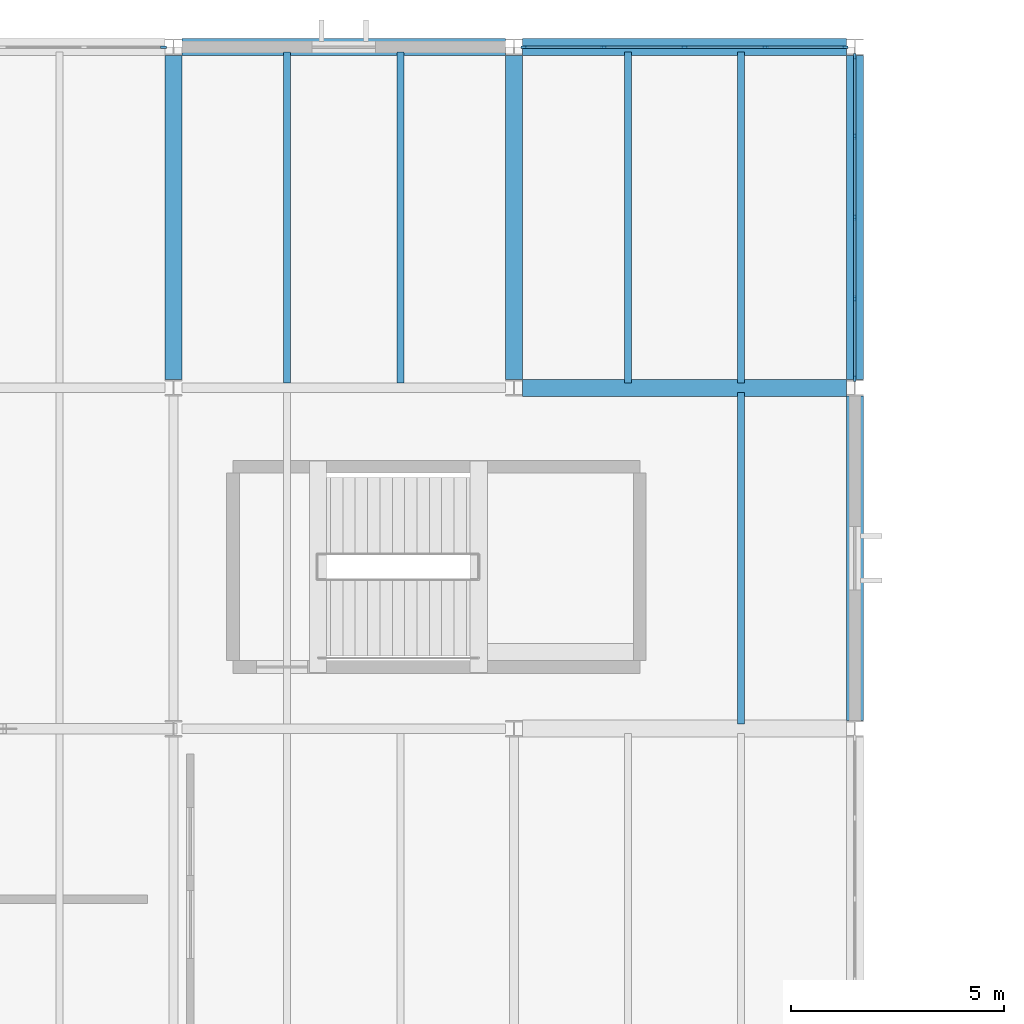
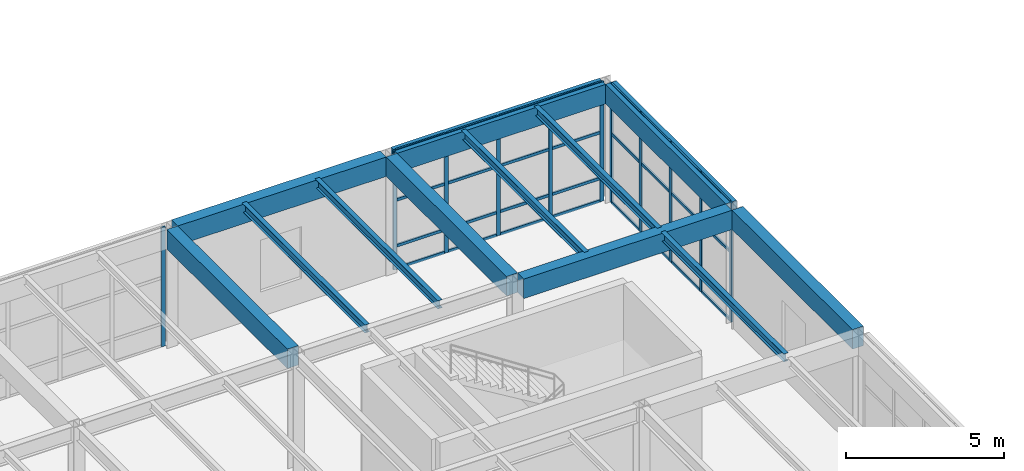
# One storey, part 24 of 60: 43 members, 12 beams, 3 elements without a shape of their own.
"""IFC4 building model written with IfcOpenShell, lengths in metres."""

from ifc_helpers import new_model, si_unit, direction, frame, origin, origin_2d, place, context, subcontext, project, spatial, rectangle, i_section, extrude, material, layer, layer_set, material_profile, profile_set, type_object, element, aggregate, save


model = new_model("IFC4")

# Units and contexts
model_context = context("Model", 3, precision=1e-05, world=origin(), true_north=direction((0.0, 1.0)))
body_context = subcontext(model_context, "Body", "Model", "MODEL_VIEW")
ifc_project = project(units=[si_unit("LENGTHUNIT", "METRE"), si_unit("AREAUNIT", "SQUARE_METRE"), si_unit("VOLUMEUNIT", "CUBIC_METRE"), si_unit("PLANEANGLEUNIT", "RADIAN"), si_unit("MASSUNIT", "GRAM", prefix="KILO")], contexts=[model_context])

# Site, building, storey
site_placement = place(None, origin())
site = spatial("IfcSite", under=ifc_project, at=site_placement, CompositionType="ELEMENT")
building_placement = place(site_placement, origin())
building = spatial("IfcBuilding", under=site, at=building_placement, Name="Varnela Railside Interchange", CompositionType="ELEMENT")
storey_placement = place(building_placement, frame((0.0, 0.0, 6.300048828125)))
storey = spatial("IfcBuildingStorey", under=building, at=storey_placement, Name="L01", CompositionType="ELEMENT", Elevation=6.300048828125)

# Beams
ifc_material_1 = material(Name="Steel AR 350 (350 MPa)", Category="steel")
ifc_material_profile_1 = material_profile(ifc_material_1, i_section(OverallWidth=0.1650390625, OverallDepth=0.31005859375, WebThickness=0.005859375, FlangeThickness=0.009765625, at=origin_2d()), Name="W310x38.7")
ifc_profile_set_1 = profile_set([ifc_material_profile_1], Name="Steel AR 350 (350 MPa)")
beam_type_1 = type_object("IfcBeamType", Name="Composite Floor Joist J-04", PredefinedType="JOIST", material=ifc_profile_set_1)
for number, where, z_axis, x_axis, name in (
    (1, (38.669921875, 86.114501953125, 4.445068359375), (0.0, 1.0, 0.0), (-1.0, 0.0, 0.0), "Composite Floor Joist J-04 (L01) (BM-1566)"),
    (2, (41.330078125, 86.114501953125, 4.445068359375), (0.0, 1.0, 0.0), (-1.0, 0.0, 0.0), "Composite Floor Joist J-04 (L01) (BM-1567)"),
    (3, (49.330078125, 78.114501953125, 4.445068359375), (0.0, 1.0, 0.0), (-1.0, 0.0, 0.0), "Composite Floor Joist J-04 (L01) (BM-1591)"),
    (4, (46.669921875, 86.114501953125, 4.445068359375), (0.0, 1.0, 0.0), (-1.0, 0.0, 0.0), "Composite Floor Joist J-04 (L01) (BM-1579)"),
    (5, (49.330078125, 86.114501953125, 4.445068359375), (0.0, 1.0, 0.0), (-1.0, 0.0, 0.0), "Composite Floor Joist J-04 (L01) (BM-1580)"),
):
    element("IfcBeam", number, at=place(storey_placement, frame(where, z_axis=z_axis, x_axis=x_axis)), inside=storey, type_object=beam_type_1, Name=name, PredefinedType="JOIST", context=body_context, shape_type="SweptSolid", body=[
        extrude(i_section(OverallWidth=0.1650390625, OverallDepth=0.31005859375, WebThickness=0.005859375, FlangeThickness=0.009765625, at=origin_2d()), origin(), (0.0, 0.0, 1.0), 7.77099609375),
    ])

# Curtain wall, member
ifc_material_2 = material(Name="Aluminium 6063-T6", Category="aluminium")
ifc_layer = layer(ifc_material_2, 0.035888671875)
ifc_layer_set = layer_set([ifc_layer], Name="Aluminium 6063-T6")
curtain_wall_type = type_object("IfcCurtainWallType", Name="Operations Wing Facade Curtain Wall CW-03", PredefinedType="USERDEFINED", material=ifc_layer_set)
curtain_wall_1_placement = place(storey_placement, origin())
curtain_wall_1 = element("IfcCurtainWall", 6, at=curtain_wall_1_placement, inside=storey, type_object=curtain_wall_type, Name="Curtain Wall CW-03 (L01) (CW-021)", ObjectType="CURTAIN WALL", PredefinedType="USERDEFINED")
ifc_material_profile_2 = material_profile(ifc_material_2, rectangle(XDim=0.06005859375, YDim=0.139892578125, at=origin_2d()), Name="ALU 60x140")
ifc_profile_set_2 = profile_set([ifc_material_profile_2], Name="Aluminium 6063-T6")
member_type_1 = type_object("IfcMemberType", Name="Curtain Wall Mullion ML-01", PredefinedType="MULLION", material=ifc_profile_set_2)
member_1_placement = place(storey_placement, frame((35.77099609375, 94.0, 0.0), z_axis=(0.0, 0.0, 1.0), x_axis=(0.0, 1.0, 0.0)))
member_1 = element("IfcMember", 7, at=member_1_placement, type_object=member_type_1, Name="CW-03 mullion 5", PredefinedType="MULLION", context=body_context, shape_type="SweptSolid", body=[
    extrude(rectangle(XDim=0.06005859375, YDim=0.139892578125, at=origin_2d()), origin(), (0.0, 0.0, 1.0), 4.599853515625),
])
aggregate(curtain_wall_1, [member_1])

# Curtain wall, members
curtain_wall_2_placement = place(storey_placement, origin())
curtain_wall_2 = element("IfcCurtainWall", 8, at=curtain_wall_2_placement, inside=storey, type_object=curtain_wall_type, Name="Curtain Wall CW-03 (L01) (CW-022)", ObjectType="CURTAIN WALL", PredefinedType="USERDEFINED")
member_2_placement = place(storey_placement, frame((44.22900390625, 94.0, 0.0), z_axis=(0.0, 0.0, 1.0), x_axis=(0.0, 1.0, 0.0)))
member_2 = element("IfcMember", 9, at=member_2_placement, type_object=member_type_1, Name="CW-03 mullion 1", PredefinedType="MULLION", context=body_context, shape_type="SweptSolid", body=[
    extrude(rectangle(XDim=0.06005859375, YDim=0.139892578125, at=origin_2d()), origin(), (0.0, 0.0, 1.0), 4.599853515625),
])
member_3_placement = place(storey_placement, frame((46.099609375, 94.0, 0.0), z_axis=(0.0, 0.0, 1.0), x_axis=(0.0, 1.0, 0.0)))
member_3 = element("IfcMember", 10, at=member_3_placement, type_object=member_type_1, Name="CW-03 mullion 2", PredefinedType="MULLION", context=body_context, shape_type="SweptSolid", body=[
    extrude(rectangle(XDim=0.06005859375, YDim=0.139892578125, at=origin_2d()), origin(), (0.0, 0.0, 1.0), 4.599853515625),
])
member_4_placement = place(storey_placement, frame((48.0, 94.0, 0.0), z_axis=(0.0, 0.0, 1.0), x_axis=(0.0, 1.0, 0.0)))
member_4 = element("IfcMember", 11, at=member_4_placement, type_object=member_type_1, Name="CW-03 mullion 3", PredefinedType="MULLION", context=body_context, shape_type="SweptSolid", body=[
    extrude(rectangle(XDim=0.06005859375, YDim=0.139892578125, at=origin_2d()), origin(), (0.0, 0.0, 1.0), 4.599853515625),
])
member_5_placement = place(storey_placement, frame((49.900390625, 94.0, 0.0), z_axis=(0.0, 0.0, 1.0), x_axis=(0.0, 1.0, 0.0)))
member_5 = element("IfcMember", 12, at=member_5_placement, type_object=member_type_1, Name="CW-03 mullion 4", PredefinedType="MULLION", context=body_context, shape_type="SweptSolid", body=[
    extrude(rectangle(XDim=0.06005859375, YDim=0.139892578125, at=origin_2d()), origin(), (0.0, 0.0, 1.0), 4.599853515625),
])
member_6_placement = place(storey_placement, frame((51.77099609375, 94.0, 0.0), z_axis=(0.0, 0.0, 1.0), x_axis=(0.0, 1.0, 0.0)))
member_6 = element("IfcMember", 13, at=member_6_placement, type_object=member_type_1, Name="CW-03 mullion 5", PredefinedType="MULLION", context=body_context, shape_type="SweptSolid", body=[
    extrude(rectangle(XDim=0.06005859375, YDim=0.139892578125, at=origin_2d()), origin(), (0.0, 0.0, 1.0), 4.599853515625),
])

curtain_wall_3_placement = place(storey_placement, origin())
curtain_wall_3 = element("IfcCurtainWall", 14, at=curtain_wall_3_placement, inside=storey, type_object=curtain_wall_type, Name="Curtain Wall CW-03 (L01) (CW-023)", ObjectType="CURTAIN WALL", PredefinedType="USERDEFINED")
member_7_placement = place(storey_placement, frame((52.0, 93.776611328125, 0.0), z_axis=(0.0, 0.0, 1.0), x_axis=(1.0, 0.0, 0.0)))
member_7 = element("IfcMember", 15, at=member_7_placement, type_object=member_type_1, Name="CW-03 mullion 1", PredefinedType="MULLION", context=body_context, shape_type="SweptSolid", body=[
    extrude(rectangle(XDim=0.06005859375, YDim=0.139892578125, at=origin_2d()), origin(), (0.0, 0.0, 1.0), 4.599853515625),
])
member_8_placement = place(storey_placement, frame((52.0, 91.9033203125, 0.0), z_axis=(0.0, 0.0, 1.0), x_axis=(1.0, 0.0, 0.0)))
member_8 = element("IfcMember", 16, at=member_8_placement, type_object=member_type_1, Name="CW-03 mullion 2", PredefinedType="MULLION", context=body_context, shape_type="SweptSolid", body=[
    extrude(rectangle(XDim=0.06005859375, YDim=0.139892578125, at=origin_2d()), origin(), (0.0, 0.0, 1.0), 4.599853515625),
])
member_9_placement = place(storey_placement, frame((52.0, 90.0, 0.0), z_axis=(0.0, 0.0, 1.0), x_axis=(1.0, 0.0, 0.0)))
member_9 = element("IfcMember", 17, at=member_9_placement, type_object=member_type_1, Name="CW-03 mullion 3", PredefinedType="MULLION", context=body_context, shape_type="SweptSolid", body=[
    extrude(rectangle(XDim=0.06005859375, YDim=0.139892578125, at=origin_2d()), origin(), (0.0, 0.0, 1.0), 4.599853515625),
])
member_10_placement = place(storey_placement, frame((52.0, 88.0966796875, 0.0), z_axis=(0.0, 0.0, 1.0), x_axis=(1.0, 0.0, 0.0)))
member_10 = element("IfcMember", 18, at=member_10_placement, type_object=member_type_1, Name="CW-03 mullion 4", PredefinedType="MULLION", context=body_context, shape_type="SweptSolid", body=[
    extrude(rectangle(XDim=0.06005859375, YDim=0.139892578125, at=origin_2d()), origin(), (0.0, 0.0, 1.0), 4.599853515625),
])
member_11_placement = place(storey_placement, frame((52.0, 86.223388671875, 0.0), z_axis=(0.0, 0.0, 1.0), x_axis=(1.0, 0.0, 0.0)))
member_11 = element("IfcMember", 19, at=member_11_placement, type_object=member_type_1, Name="CW-03 mullion 5", PredefinedType="MULLION", context=body_context, shape_type="SweptSolid", body=[
    extrude(rectangle(XDim=0.06005859375, YDim=0.139892578125, at=origin_2d()), origin(), (0.0, 0.0, 1.0), 4.599853515625),
])

# Member
ifc_material_profile_3 = material_profile(ifc_material_2, rectangle(XDim=0.06005859375, YDim=0.110107421875, at=origin_2d()), Name="ALU 60x110")
ifc_profile_set_3 = profile_set([ifc_material_profile_3], Name="Aluminium 6063-T6")
member_type_2 = type_object("IfcMemberType", Name="Curtain Wall Transom TR-01", PredefinedType="USERDEFINED", material=ifc_profile_set_3)
member_12_placement = place(storey_placement, frame((44.259033203125, 94.0, 0.030029296875), z_axis=(1.0, 0.0, 0.0), x_axis=(0.0, 1.0, 0.0)))
member_12 = element("IfcMember", 20, at=member_12_placement, type_object=member_type_2, Name="CW-03 transom 1.1", ObjectType="TRANSOM", PredefinedType="USERDEFINED", context=body_context, shape_type="SweptSolid", body=[
    extrude(rectangle(XDim=0.06005859375, YDim=0.110107421875, at=origin_2d()), origin(), (0.0, 0.0, 1.0), 1.810546875),
])

member_13_placement = place(storey_placement, frame((44.259033203125, 94.0, 0.89990234375), z_axis=(1.0, 0.0, 0.0), x_axis=(0.0, 1.0, 0.0)))
member_13 = element("IfcMember", 21, at=member_13_placement, type_object=member_type_2, Name="CW-03 transom 1.2", ObjectType="TRANSOM", PredefinedType="USERDEFINED", context=body_context, shape_type="SweptSolid", body=[
    extrude(rectangle(XDim=0.06005859375, YDim=0.110107421875, at=origin_2d()), origin(), (0.0, 0.0, 1.0), 1.810546875),
])

member_14_placement = place(storey_placement, frame((44.259033203125, 94.0, 2.66796875), z_axis=(1.0, 0.0, 0.0), x_axis=(0.0, 1.0, 0.0)))
member_14 = element("IfcMember", 22, at=member_14_placement, type_object=member_type_2, Name="CW-03 transom 1.3", ObjectType="TRANSOM", PredefinedType="USERDEFINED", context=body_context, shape_type="SweptSolid", body=[
    extrude(rectangle(XDim=0.06005859375, YDim=0.110107421875, at=origin_2d()), origin(), (0.0, 0.0, 1.0), 1.810546875),
])

member_15_placement = place(storey_placement, frame((44.259033203125, 94.0, 4.570068359375), z_axis=(1.0, 0.0, 0.0), x_axis=(0.0, 1.0, 0.0)))
member_15 = element("IfcMember", 23, at=member_15_placement, type_object=member_type_2, Name="CW-03 transom 1.4", ObjectType="TRANSOM", PredefinedType="USERDEFINED", context=body_context, shape_type="SweptSolid", body=[
    extrude(rectangle(XDim=0.06005859375, YDim=0.110107421875, at=origin_2d()), origin(), (0.0, 0.0, 1.0), 1.810546875),
])

member_16_placement = place(storey_placement, frame((46.12939453125, 94.0, 0.030029296875), z_axis=(1.0, 0.0, 0.0), x_axis=(0.0, 1.0, 0.0)))
member_16 = element("IfcMember", 24, at=member_16_placement, type_object=member_type_2, Name="CW-03 transom 2.1", ObjectType="TRANSOM", PredefinedType="USERDEFINED", context=body_context, shape_type="SweptSolid", body=[
    extrude(rectangle(XDim=0.06005859375, YDim=0.110107421875, at=origin_2d()), origin(), (0.0, 0.0, 1.0), 1.840576171875),
])

member_17_placement = place(storey_placement, frame((46.12939453125, 94.0, 0.89990234375), z_axis=(1.0, 0.0, 0.0), x_axis=(0.0, 1.0, 0.0)))
member_17 = element("IfcMember", 25, at=member_17_placement, type_object=member_type_2, Name="CW-03 transom 2.2", ObjectType="TRANSOM", PredefinedType="USERDEFINED", context=body_context, shape_type="SweptSolid", body=[
    extrude(rectangle(XDim=0.06005859375, YDim=0.110107421875, at=origin_2d()), origin(), (0.0, 0.0, 1.0), 1.840576171875),
])

member_18_placement = place(storey_placement, frame((46.12939453125, 94.0, 2.66796875), z_axis=(1.0, 0.0, 0.0), x_axis=(0.0, 1.0, 0.0)))
member_18 = element("IfcMember", 26, at=member_18_placement, type_object=member_type_2, Name="CW-03 transom 2.3", ObjectType="TRANSOM", PredefinedType="USERDEFINED", context=body_context, shape_type="SweptSolid", body=[
    extrude(rectangle(XDim=0.06005859375, YDim=0.110107421875, at=origin_2d()), origin(), (0.0, 0.0, 1.0), 1.840576171875),
])

member_19_placement = place(storey_placement, frame((46.12939453125, 94.0, 4.570068359375), z_axis=(1.0, 0.0, 0.0), x_axis=(0.0, 1.0, 0.0)))
member_19 = element("IfcMember", 27, at=member_19_placement, type_object=member_type_2, Name="CW-03 transom 2.4", ObjectType="TRANSOM", PredefinedType="USERDEFINED", context=body_context, shape_type="SweptSolid", body=[
    extrude(rectangle(XDim=0.06005859375, YDim=0.110107421875, at=origin_2d()), origin(), (0.0, 0.0, 1.0), 1.840576171875),
])

member_20_placement = place(storey_placement, frame((48.030029296875, 94.0, 0.030029296875), z_axis=(1.0, 0.0, 0.0), x_axis=(0.0, 1.0, 0.0)))
member_20 = element("IfcMember", 28, at=member_20_placement, type_object=member_type_2, Name="CW-03 transom 3.1", ObjectType="TRANSOM", PredefinedType="USERDEFINED", context=body_context, shape_type="SweptSolid", body=[
    extrude(rectangle(XDim=0.06005859375, YDim=0.110107421875, at=origin_2d()), origin(), (0.0, 0.0, 1.0), 1.840576171875),
])

member_21_placement = place(storey_placement, frame((48.030029296875, 94.0, 0.89990234375), z_axis=(1.0, 0.0, 0.0), x_axis=(0.0, 1.0, 0.0)))
member_21 = element("IfcMember", 29, at=member_21_placement, type_object=member_type_2, Name="CW-03 transom 3.2", ObjectType="TRANSOM", PredefinedType="USERDEFINED", context=body_context, shape_type="SweptSolid", body=[
    extrude(rectangle(XDim=0.06005859375, YDim=0.110107421875, at=origin_2d()), origin(), (0.0, 0.0, 1.0), 1.840576171875),
])

member_22_placement = place(storey_placement, frame((48.030029296875, 94.0, 2.66796875), z_axis=(1.0, 0.0, 0.0), x_axis=(0.0, 1.0, 0.0)))
member_22 = element("IfcMember", 30, at=member_22_placement, type_object=member_type_2, Name="CW-03 transom 3.3", ObjectType="TRANSOM", PredefinedType="USERDEFINED", context=body_context, shape_type="SweptSolid", body=[
    extrude(rectangle(XDim=0.06005859375, YDim=0.110107421875, at=origin_2d()), origin(), (0.0, 0.0, 1.0), 1.840576171875),
])

member_23_placement = place(storey_placement, frame((48.030029296875, 94.0, 4.570068359375), z_axis=(1.0, 0.0, 0.0), x_axis=(0.0, 1.0, 0.0)))
member_23 = element("IfcMember", 31, at=member_23_placement, type_object=member_type_2, Name="CW-03 transom 3.4", ObjectType="TRANSOM", PredefinedType="USERDEFINED", context=body_context, shape_type="SweptSolid", body=[
    extrude(rectangle(XDim=0.06005859375, YDim=0.110107421875, at=origin_2d()), origin(), (0.0, 0.0, 1.0), 1.840576171875),
])

member_24_placement = place(storey_placement, frame((49.930419921875, 94.0, 0.030029296875), z_axis=(1.0, 0.0, 0.0), x_axis=(0.0, 1.0, 0.0)))
member_24 = element("IfcMember", 32, at=member_24_placement, type_object=member_type_2, Name="CW-03 transom 4.1", ObjectType="TRANSOM", PredefinedType="USERDEFINED", context=body_context, shape_type="SweptSolid", body=[
    extrude(rectangle(XDim=0.06005859375, YDim=0.110107421875, at=origin_2d()), origin(), (0.0, 0.0, 1.0), 1.810546875),
])

member_25_placement = place(storey_placement, frame((49.930419921875, 94.0, 0.89990234375), z_axis=(1.0, 0.0, 0.0), x_axis=(0.0, 1.0, 0.0)))
member_25 = element("IfcMember", 33, at=member_25_placement, type_object=member_type_2, Name="CW-03 transom 4.2", ObjectType="TRANSOM", PredefinedType="USERDEFINED", context=body_context, shape_type="SweptSolid", body=[
    extrude(rectangle(XDim=0.06005859375, YDim=0.110107421875, at=origin_2d()), origin(), (0.0, 0.0, 1.0), 1.810546875),
])

member_26_placement = place(storey_placement, frame((49.930419921875, 94.0, 2.66796875), z_axis=(1.0, 0.0, 0.0), x_axis=(0.0, 1.0, 0.0)))
member_26 = element("IfcMember", 34, at=member_26_placement, type_object=member_type_2, Name="CW-03 transom 4.3", ObjectType="TRANSOM", PredefinedType="USERDEFINED", context=body_context, shape_type="SweptSolid", body=[
    extrude(rectangle(XDim=0.06005859375, YDim=0.110107421875, at=origin_2d()), origin(), (0.0, 0.0, 1.0), 1.810546875),
])

member_27_placement = place(storey_placement, frame((49.930419921875, 94.0, 4.570068359375), z_axis=(1.0, 0.0, 0.0), x_axis=(0.0, 1.0, 0.0)))
member_27 = element("IfcMember", 35, at=member_27_placement, type_object=member_type_2, Name="CW-03 transom 4.4", ObjectType="TRANSOM", PredefinedType="USERDEFINED", context=body_context, shape_type="SweptSolid", body=[
    extrude(rectangle(XDim=0.06005859375, YDim=0.110107421875, at=origin_2d()), origin(), (0.0, 0.0, 1.0), 1.810546875),
])

aggregate(curtain_wall_2, [member_2, member_3, member_4, member_5, member_6, member_12, member_13, member_14, member_15, member_16, member_17, member_18, member_19, member_20, member_21, member_22, member_23, member_24, member_25, member_26, member_27])

member_28_placement = place(storey_placement, frame((52.0, 93.74658203125, 0.030029296875), z_axis=(0.0, -1.0, 0.0), x_axis=(1.0, 0.0, 0.0)))
member_28 = element("IfcMember", 36, at=member_28_placement, type_object=member_type_2, Name="CW-03 transom 1.1", ObjectType="TRANSOM", PredefinedType="USERDEFINED", context=body_context, shape_type="SweptSolid", body=[
    extrude(rectangle(XDim=0.06005859375, YDim=0.110107421875, at=origin_2d()), origin(), (0.0, 0.0, 1.0), 1.813232421875),
])

member_29_placement = place(storey_placement, frame((52.0, 93.74658203125, 0.89990234375), z_axis=(0.0, -1.0, 0.0), x_axis=(1.0, 0.0, 0.0)))
member_29 = element("IfcMember", 37, at=member_29_placement, type_object=member_type_2, Name="CW-03 transom 1.2", ObjectType="TRANSOM", PredefinedType="USERDEFINED", context=body_context, shape_type="SweptSolid", body=[
    extrude(rectangle(XDim=0.06005859375, YDim=0.110107421875, at=origin_2d()), origin(), (0.0, 0.0, 1.0), 1.813232421875),
])

member_30_placement = place(storey_placement, frame((52.0, 93.74658203125, 2.66796875), z_axis=(0.0, -1.0, 0.0), x_axis=(1.0, 0.0, 0.0)))
member_30 = element("IfcMember", 38, at=member_30_placement, type_object=member_type_2, Name="CW-03 transom 1.3", ObjectType="TRANSOM", PredefinedType="USERDEFINED", context=body_context, shape_type="SweptSolid", body=[
    extrude(rectangle(XDim=0.06005859375, YDim=0.110107421875, at=origin_2d()), origin(), (0.0, 0.0, 1.0), 1.813232421875),
])

member_31_placement = place(storey_placement, frame((52.0, 93.74658203125, 4.570068359375), z_axis=(0.0, -1.0, 0.0), x_axis=(1.0, 0.0, 0.0)))
member_31 = element("IfcMember", 39, at=member_31_placement, type_object=member_type_2, Name="CW-03 transom 1.4", ObjectType="TRANSOM", PredefinedType="USERDEFINED", context=body_context, shape_type="SweptSolid", body=[
    extrude(rectangle(XDim=0.06005859375, YDim=0.110107421875, at=origin_2d()), origin(), (0.0, 0.0, 1.0), 1.813232421875),
])

member_32_placement = place(storey_placement, frame((52.0, 91.873291015625, 0.030029296875), z_axis=(0.0, -1.0, 0.0), x_axis=(1.0, 0.0, 0.0)))
member_32 = element("IfcMember", 40, at=member_32_placement, type_object=member_type_2, Name="CW-03 transom 2.1", ObjectType="TRANSOM", PredefinedType="USERDEFINED", context=body_context, shape_type="SweptSolid", body=[
    extrude(rectangle(XDim=0.06005859375, YDim=0.110107421875, at=origin_2d()), origin(), (0.0, 0.0, 1.0), 1.84326171875),
])

member_33_placement = place(storey_placement, frame((52.0, 91.873291015625, 0.89990234375), z_axis=(0.0, -1.0, 0.0), x_axis=(1.0, 0.0, 0.0)))
member_33 = element("IfcMember", 41, at=member_33_placement, type_object=member_type_2, Name="CW-03 transom 2.2", ObjectType="TRANSOM", PredefinedType="USERDEFINED", context=body_context, shape_type="SweptSolid", body=[
    extrude(rectangle(XDim=0.06005859375, YDim=0.110107421875, at=origin_2d()), origin(), (0.0, 0.0, 1.0), 1.84326171875),
])

member_34_placement = place(storey_placement, frame((52.0, 91.873291015625, 2.66796875), z_axis=(0.0, -1.0, 0.0), x_axis=(1.0, 0.0, 0.0)))
member_34 = element("IfcMember", 42, at=member_34_placement, type_object=member_type_2, Name="CW-03 transom 2.3", ObjectType="TRANSOM", PredefinedType="USERDEFINED", context=body_context, shape_type="SweptSolid", body=[
    extrude(rectangle(XDim=0.06005859375, YDim=0.110107421875, at=origin_2d()), origin(), (0.0, 0.0, 1.0), 1.84326171875),
])

member_35_placement = place(storey_placement, frame((52.0, 91.873291015625, 4.570068359375), z_axis=(0.0, -1.0, 0.0), x_axis=(1.0, 0.0, 0.0)))
member_35 = element("IfcMember", 43, at=member_35_placement, type_object=member_type_2, Name="CW-03 transom 2.4", ObjectType="TRANSOM", PredefinedType="USERDEFINED", context=body_context, shape_type="SweptSolid", body=[
    extrude(rectangle(XDim=0.06005859375, YDim=0.110107421875, at=origin_2d()), origin(), (0.0, 0.0, 1.0), 1.84326171875),
])

member_36_placement = place(storey_placement, frame((52.0, 89.969970703125, 0.030029296875), z_axis=(0.0, -1.0, 0.0), x_axis=(1.0, 0.0, 0.0)))
member_36 = element("IfcMember", 44, at=member_36_placement, type_object=member_type_2, Name="CW-03 transom 3.1", ObjectType="TRANSOM", PredefinedType="USERDEFINED", context=body_context, shape_type="SweptSolid", body=[
    extrude(rectangle(XDim=0.06005859375, YDim=0.110107421875, at=origin_2d()), origin(), (0.0, 0.0, 1.0), 1.84326171875),
])

member_37_placement = place(storey_placement, frame((52.0, 89.969970703125, 0.89990234375), z_axis=(0.0, -1.0, 0.0), x_axis=(1.0, 0.0, 0.0)))
member_37 = element("IfcMember", 45, at=member_37_placement, type_object=member_type_2, Name="CW-03 transom 3.2", ObjectType="TRANSOM", PredefinedType="USERDEFINED", context=body_context, shape_type="SweptSolid", body=[
    extrude(rectangle(XDim=0.06005859375, YDim=0.110107421875, at=origin_2d()), origin(), (0.0, 0.0, 1.0), 1.84326171875),
])

member_38_placement = place(storey_placement, frame((52.0, 89.969970703125, 2.66796875), z_axis=(0.0, -1.0, 0.0), x_axis=(1.0, 0.0, 0.0)))
member_38 = element("IfcMember", 46, at=member_38_placement, type_object=member_type_2, Name="CW-03 transom 3.3", ObjectType="TRANSOM", PredefinedType="USERDEFINED", context=body_context, shape_type="SweptSolid", body=[
    extrude(rectangle(XDim=0.06005859375, YDim=0.110107421875, at=origin_2d()), origin(), (0.0, 0.0, 1.0), 1.84326171875),
])

member_39_placement = place(storey_placement, frame((52.0, 89.969970703125, 4.570068359375), z_axis=(0.0, -1.0, 0.0), x_axis=(1.0, 0.0, 0.0)))
member_39 = element("IfcMember", 47, at=member_39_placement, type_object=member_type_2, Name="CW-03 transom 3.4", ObjectType="TRANSOM", PredefinedType="USERDEFINED", context=body_context, shape_type="SweptSolid", body=[
    extrude(rectangle(XDim=0.06005859375, YDim=0.110107421875, at=origin_2d()), origin(), (0.0, 0.0, 1.0), 1.84326171875),
])

member_40_placement = place(storey_placement, frame((52.0, 88.066650390625, 0.030029296875), z_axis=(0.0, -1.0, 0.0), x_axis=(1.0, 0.0, 0.0)))
member_40 = element("IfcMember", 48, at=member_40_placement, type_object=member_type_2, Name="CW-03 transom 4.1", ObjectType="TRANSOM", PredefinedType="USERDEFINED", context=body_context, shape_type="SweptSolid", body=[
    extrude(rectangle(XDim=0.06005859375, YDim=0.110107421875, at=origin_2d()), origin(), (0.0, 0.0, 1.0), 1.813232421875),
])

member_41_placement = place(storey_placement, frame((52.0, 88.066650390625, 0.89990234375), z_axis=(0.0, -1.0, 0.0), x_axis=(1.0, 0.0, 0.0)))
member_41 = element("IfcMember", 49, at=member_41_placement, type_object=member_type_2, Name="CW-03 transom 4.2", ObjectType="TRANSOM", PredefinedType="USERDEFINED", context=body_context, shape_type="SweptSolid", body=[
    extrude(rectangle(XDim=0.06005859375, YDim=0.110107421875, at=origin_2d()), origin(), (0.0, 0.0, 1.0), 1.813232421875),
])

member_42_placement = place(storey_placement, frame((52.0, 88.066650390625, 2.66796875), z_axis=(0.0, -1.0, 0.0), x_axis=(1.0, 0.0, 0.0)))
member_42 = element("IfcMember", 50, at=member_42_placement, type_object=member_type_2, Name="CW-03 transom 4.3", ObjectType="TRANSOM", PredefinedType="USERDEFINED", context=body_context, shape_type="SweptSolid", body=[
    extrude(rectangle(XDim=0.06005859375, YDim=0.110107421875, at=origin_2d()), origin(), (0.0, 0.0, 1.0), 1.813232421875),
])

member_43_placement = place(storey_placement, frame((52.0, 88.066650390625, 4.570068359375), z_axis=(0.0, -1.0, 0.0), x_axis=(1.0, 0.0, 0.0)))
member_43 = element("IfcMember", 51, at=member_43_placement, type_object=member_type_2, Name="CW-03 transom 4.4", ObjectType="TRANSOM", PredefinedType="USERDEFINED", context=body_context, shape_type="SweptSolid", body=[
    extrude(rectangle(XDim=0.06005859375, YDim=0.110107421875, at=origin_2d()), origin(), (0.0, 0.0, 1.0), 1.813232421875),
])

aggregate(curtain_wall_3, [member_7, member_8, member_9, member_10, member_11, member_28, member_29, member_30, member_31, member_32, member_33, member_34, member_35, member_36, member_37, member_38, member_39, member_40, member_41, member_42, member_43])

# Beams
ifc_material_3 = material(Name="Concrete C40 precast", Category="concrete")
ifc_material_profile_4 = material_profile(ifc_material_3, rectangle(XDim=0.39990234375, YDim=0.75, at=origin_2d()), Name="PC 400x750")
ifc_profile_set_4 = profile_set([ifc_material_profile_4], Name="Concrete C40 precast")
beam_type_2 = type_object("IfcBeamType", Name="Precast Facade Spandrel SP-03", PredefinedType="SPANDREL", material=ifc_profile_set_4)
for number, where, z_axis, x_axis, name in (
    (52, (44.198974609375, 86.0, 4.224853515625), (1.0, 0.0, 0.0), (0.0, 1.0, 0.0), "Precast Facade Spandrel SP-03 (L01) (BM-1691)"),
    (53, (36.198974609375, 94.0, 4.224853515625), (1.0, 0.0, 0.0), (0.0, 1.0, 0.0), "Precast Facade Spandrel SP-03 (L01) (BM-1699)"),
    (54, (44.198974609375, 94.0, 4.224853515625), (1.0, 0.0, 0.0), (0.0, 1.0, 0.0), "Precast Facade Spandrel SP-03 (L01) (BM-1700)"),
):
    element("IfcBeam", number, at=place(storey_placement, frame(where, z_axis=z_axis, x_axis=x_axis)), inside=storey, type_object=beam_type_2, Name=name, PredefinedType="SPANDREL", context=body_context, shape_type="SweptSolid", body=[
        extrude(rectangle(XDim=0.39990234375, YDim=0.75, at=origin_2d()), origin(), (0.0, 0.0, 1.0), 7.60205078125),
    ])
for number, where, z_axis, x_axis, name in (
    (55, (36.0, 86.193603515625, 4.224853515625), (0.0, 1.0, 0.0), (-1.0, 0.0, 0.0), "Precast Facade Spandrel SP-03 (L01) (BM-1769)"),
    (56, (44.0, 86.193603515625, 4.224853515625), (0.0, 1.0, 0.0), (-1.0, 0.0, 0.0), "Precast Facade Spandrel SP-03 (L01) (BM-1775)"),
    (57, (52.0, 78.193603515625, 4.224853515625), (0.0, 1.0, 0.0), (-1.0, 0.0, 0.0), "Precast Facade Spandrel SP-03 (L01) (BM-1781)"),
    (58, (52.0, 86.193603515625, 4.224853515625), (0.0, 1.0, 0.0), (-1.0, 0.0, 0.0), "Precast Facade Spandrel SP-03 (L01) (BM-1782)"),
):
    element("IfcBeam", number, at=place(storey_placement, frame(where, z_axis=z_axis, x_axis=x_axis)), inside=storey, type_object=beam_type_2, Name=name, PredefinedType="SPANDREL", context=body_context, shape_type="SweptSolid", body=[
        extrude(rectangle(XDim=0.39990234375, YDim=0.75, at=origin_2d()), origin(), (0.0, 0.0, 1.0), 7.61279296875),
    ])

save(model, "model.ifc")
